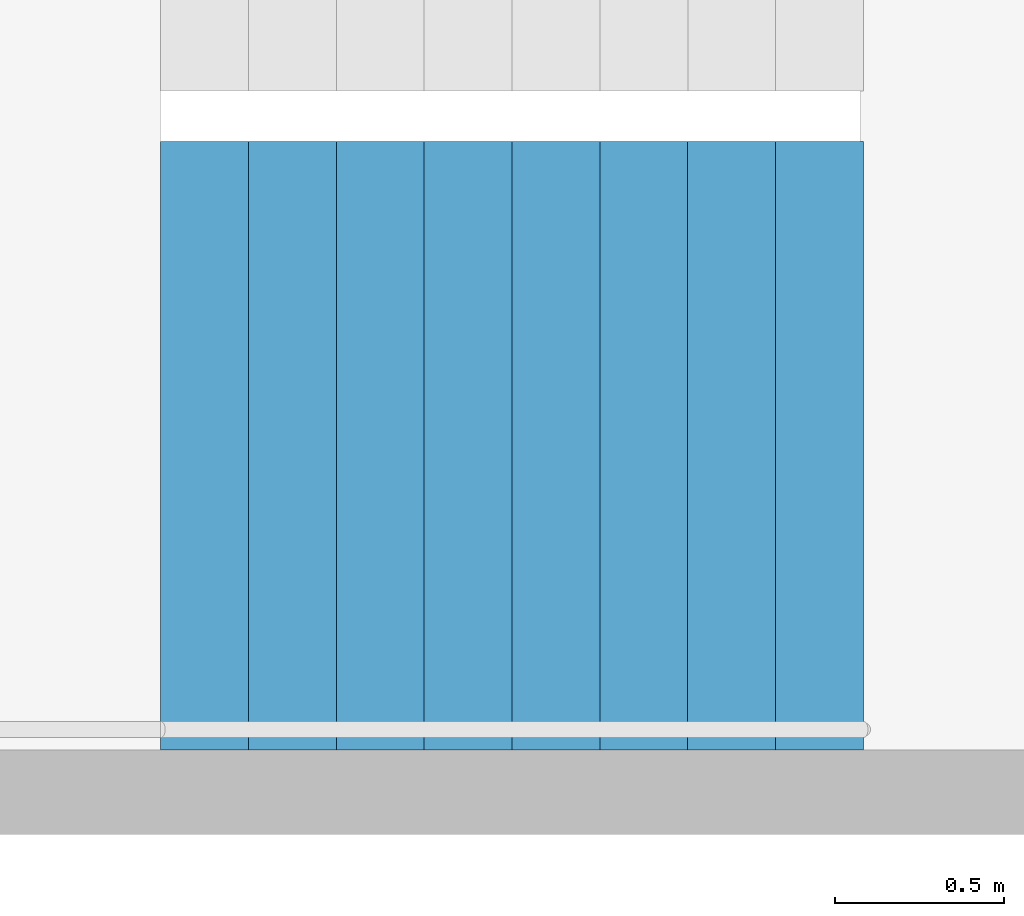
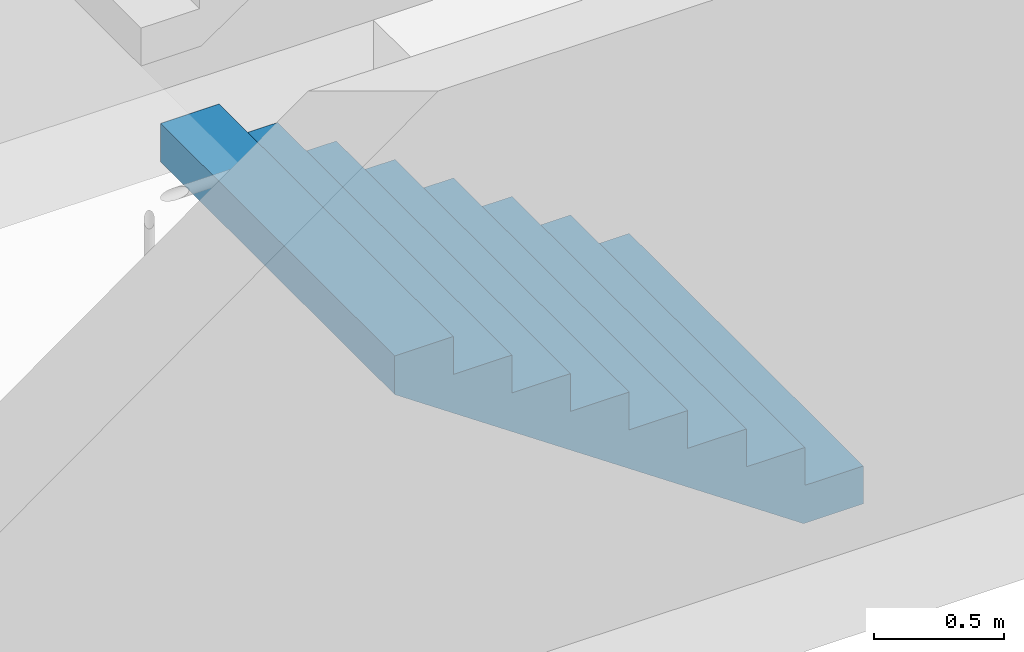
# One storey, part 27 of 29: 1 stair flight, 1 element without a shape of its own.
"""IFC4 building model written with IfcOpenShell, lengths in metres."""

from ifc_helpers import new_model, si_unit, direction, frame, origin, place, context, subcontext, project, spatial, triangles, material, type_object, element, aggregate, save


model = new_model("IFC4")

# Units and contexts
model_context = context("Model", 3, precision=1e-05, world=origin(), true_north=direction((0.0, 1.0)))
body_context = subcontext(model_context, "Body", "Model", "MODEL_VIEW")
ifc_project = project(units=[si_unit("LENGTHUNIT", "METRE"), si_unit("AREAUNIT", "SQUARE_METRE"), si_unit("VOLUMEUNIT", "CUBIC_METRE"), si_unit("PLANEANGLEUNIT", "RADIAN"), si_unit("MASSUNIT", "GRAM", prefix="KILO")], contexts=[model_context])

# Site, building, storey
site_placement = place(None, origin())
site = spatial("IfcSite", under=ifc_project, at=site_placement, CompositionType="ELEMENT")
building_placement = place(site_placement, origin())
building = spatial("IfcBuilding", under=site, at=building_placement, Name="Hakoniwa Tower and Hamabe Station Hall", CompositionType="ELEMENT")
storey_placement = place(building_placement, frame((0.0, 0.0, 78.60009765625)))
storey = spatial("IfcBuildingStorey", under=building, at=storey_placement, Name="L21", CompositionType="ELEMENT", Elevation=78.60009765625)

# Stair, stair flight
ifc_material_1 = material(Name="Concrete C40", Category="concrete")
stair_type = type_object("IfcStairType", Name="ESCAPE STAIR 1800", PredefinedType="HALF_TURN_STAIR", material=ifc_material_1)
stair_placement = place(storey_placement, origin())
stair = element("IfcStair", 1, at=stair_placement, inside=storey, type_object=stair_type, Name="Escape stair ST-3 L21", PredefinedType="HALF_TURN_STAIR")
ifc_material_2 = material(Name="Concrete C40", Category="concrete")
stair_flight_type = type_object("IfcStairFlightType", Name="STAIR FLIGHT 1800", PredefinedType="STRAIGHT", material=ifc_material_2)
stair_flight_placement = place(storey_placement, frame((24.39990234375, 4.64990234375, 0.0), z_axis=(0.0, 0.0, 1.0), x_axis=(-1.0, 0.0, 0.0)))
stair_flight = element("IfcStairFlight", 2, at=stair_flight_placement, type_object=stair_flight_type, Name="ST-3 flight 1", NumberOfRisers=9, NumberOfTreads=8, PredefinedType="STRAIGHT", RiserHeight=0.177777778, TreadLength=0.26, context=body_context, shape_type="Tessellation", body=[
    triangles([(0.0, 0.89990234375, 0.0), (0.260009765625, 0.89990234375, 0.0), (0.265625, 0.89990234375, 0.0), (0.52001953125, 0.89990234375, 0.174072265625), (0.780029296875, 0.89990234375, 0.351806640625), (1.0400390625, 0.89990234375, 0.529541015625), (1.300048828125, 0.89990234375, 0.707275390625), (1.56005859375, 0.89990234375, 0.885009765625), (1.820068359375, 0.89990234375, 1.062744140625), (2.080078125, 0.89990234375, 1.24072265625), (2.080078125, 0.89990234375, 1.422119140625), (1.820068359375, 0.89990234375, 1.422119140625), (1.820068359375, 0.89990234375, 1.244384765625), (1.56005859375, 0.89990234375, 1.244384765625), (1.56005859375, 0.89990234375, 1.066650390625), (1.300048828125, 0.89990234375, 1.066650390625), (1.300048828125, 0.89990234375, 0.888916015625), (1.0400390625, 0.89990234375, 0.888916015625), (1.0400390625, 0.89990234375, 0.711181640625), (0.780029296875, 0.89990234375, 0.711181640625), (0.780029296875, 0.89990234375, 0.533447265625), (0.52001953125, 0.89990234375, 0.533447265625), (0.52001953125, 0.89990234375, 0.35546875), (0.265625, 0.89990234375, 0.35546875), (0.260009765625, 0.89990234375, 0.35546875), (0.260009765625, 0.89990234375, 0.177734375), (0.0, 0.89990234375, 0.177734375), (0.0, 0.06005859375, 0.0), (0.260009765625, 0.06005859375, 0.0), (0.265625, 0.06005859375, 0.0), (0.52001953125, 0.06005859375, 0.174072265625), (0.780029296875, 0.06005859375, 0.351806640625), (1.0400390625, 0.06005859375, 0.529541015625), (1.300048828125, 0.06005859375, 0.707275390625), (1.56005859375, 0.06005859375, 0.885009765625), (1.820068359375, 0.06005859375, 1.062744140625), (2.080078125, 0.06005859375, 1.24072265625), (2.080078125, 0.06005859375, 1.422119140625), (1.820068359375, 0.06005859375, 1.422119140625), (1.820068359375, 0.06005859375, 1.244384765625), (1.56005859375, 0.06005859375, 1.244384765625), (1.56005859375, 0.06005859375, 1.066650390625), (1.300048828125, 0.06005859375, 1.066650390625), (1.300048828125, 0.06005859375, 0.888916015625), (1.0400390625, 0.06005859375, 0.888916015625), (1.0400390625, 0.06005859375, 0.711181640625), (0.780029296875, 0.06005859375, 0.711181640625), (0.780029296875, 0.06005859375, 0.533447265625), (0.52001953125, 0.06005859375, 0.533447265625), (0.52001953125, 0.06005859375, 0.35546875), (0.265625, 0.06005859375, 0.35546875), (0.260009765625, 0.06005859375, 0.35546875), (0.260009765625, 0.06005859375, 0.177734375), (0.0, 0.06005859375, 0.177734375), (0.0, 0.04296875, 0.0), (0.260009765625, 0.04296875, 0.0), (0.265625, 0.04296875, 0.0), (0.52001953125, 0.04296875, 0.174072265625), (0.780029296875, 0.04296875, 0.351806640625), (1.0400390625, 0.04296875, 0.529541015625), (1.300048828125, 0.04296875, 0.707275390625), (1.56005859375, 0.04296875, 0.885009765625), (1.820068359375, 0.04296875, 1.062744140625), (2.080078125, 0.04296875, 1.24072265625), (2.080078125, 0.04296875, 1.422119140625), (1.820068359375, 0.04296875, 1.422119140625), (1.820068359375, 0.04296875, 1.244384765625), (1.56005859375, 0.04296875, 1.244384765625), (1.56005859375, 0.04296875, 1.066650390625), (1.300048828125, 0.04296875, 1.066650390625), (1.300048828125, 0.04296875, 0.888916015625), (1.0400390625, 0.04296875, 0.888916015625), (1.0400390625, 0.04296875, 0.711181640625), (0.780029296875, 0.04296875, 0.711181640625), (0.780029296875, 0.04296875, 0.533447265625), (0.52001953125, 0.04296875, 0.533447265625), (0.52001953125, 0.04296875, 0.35546875), (0.265625, 0.04296875, 0.35546875), (0.260009765625, 0.04296875, 0.35546875), (0.260009765625, 0.04296875, 0.177734375), (0.0, 0.04296875, 0.177734375), (0.0, 0.025634765625, 0.0), (0.260009765625, 0.025634765625, 0.0), (0.265625, 0.025634765625, 0.0), (0.52001953125, 0.025634765625, 0.174072265625), (0.780029296875, 0.025634765625, 0.351806640625), (1.0400390625, 0.025634765625, 0.529541015625), (1.300048828125, 0.025634765625, 0.707275390625), (1.56005859375, 0.025634765625, 0.885009765625), (1.820068359375, 0.025634765625, 1.062744140625), (2.080078125, 0.025634765625, 1.24072265625), (2.080078125, 0.025634765625, 1.422119140625), (1.820068359375, 0.025634765625, 1.422119140625), (1.820068359375, 0.025634765625, 1.244384765625), (1.56005859375, 0.025634765625, 1.244384765625), (1.56005859375, 0.025634765625, 1.066650390625), (1.300048828125, 0.025634765625, 1.066650390625), (1.300048828125, 0.025634765625, 0.888916015625), (1.0400390625, 0.025634765625, 0.888916015625), (1.0400390625, 0.025634765625, 0.711181640625), (0.780029296875, 0.025634765625, 0.711181640625), (0.780029296875, 0.025634765625, 0.533447265625), (0.52001953125, 0.025634765625, 0.533447265625), (0.52001953125, 0.025634765625, 0.35546875), (0.265625, 0.025634765625, 0.35546875), (0.260009765625, 0.025634765625, 0.35546875), (0.260009765625, 0.025634765625, 0.177734375), (0.0, 0.025634765625, 0.177734375), (0.0, 0.008544921875, 0.0), (0.260009765625, 0.008544921875, 0.0), (0.265625, 0.008544921875, 0.0), (0.52001953125, 0.008544921875, 0.174072265625), (0.780029296875, 0.008544921875, 0.351806640625), (1.0400390625, 0.008544921875, 0.529541015625), (1.300048828125, 0.008544921875, 0.707275390625), (1.56005859375, 0.008544921875, 0.885009765625), (1.820068359375, 0.008544921875, 1.062744140625), (2.080078125, 0.008544921875, 1.24072265625), (2.080078125, 0.008544921875, 1.422119140625), (1.820068359375, 0.008544921875, 1.422119140625), (1.820068359375, 0.008544921875, 1.244384765625), (1.56005859375, 0.008544921875, 1.244384765625), (1.56005859375, 0.008544921875, 1.066650390625), (1.300048828125, 0.008544921875, 1.066650390625), (1.300048828125, 0.008544921875, 0.888916015625), (1.0400390625, 0.008544921875, 0.888916015625), (1.0400390625, 0.008544921875, 0.711181640625), (0.780029296875, 0.008544921875, 0.711181640625), (0.780029296875, 0.008544921875, 0.533447265625), (0.52001953125, 0.008544921875, 0.533447265625), (0.52001953125, 0.008544921875, 0.35546875), (0.265625, 0.008544921875, 0.35546875), (0.260009765625, 0.008544921875, 0.35546875), (0.260009765625, 0.008544921875, 0.177734375), (0.0, 0.008544921875, 0.177734375), (0.0, -0.008544921875, 0.0), (0.260009765625, -0.008544921875, 0.0), (0.265625, -0.008544921875, 0.0), (0.52001953125, -0.008544921875, 0.174072265625), (0.780029296875, -0.008544921875, 0.351806640625), (1.0400390625, -0.008544921875, 0.529541015625), (1.300048828125, -0.008544921875, 0.707275390625), (1.56005859375, -0.008544921875, 0.885009765625), (1.820068359375, -0.008544921875, 1.062744140625), (2.080078125, -0.008544921875, 1.24072265625), (2.080078125, -0.008544921875, 1.422119140625), (1.820068359375, -0.008544921875, 1.422119140625), (1.820068359375, -0.008544921875, 1.244384765625), (1.56005859375, -0.008544921875, 1.244384765625), (1.56005859375, -0.008544921875, 1.066650390625), (1.300048828125, -0.008544921875, 1.066650390625), (1.300048828125, -0.008544921875, 0.888916015625), (1.0400390625, -0.008544921875, 0.888916015625), (1.0400390625, -0.008544921875, 0.711181640625), (0.780029296875, -0.008544921875, 0.711181640625), (0.780029296875, -0.008544921875, 0.533447265625), (0.52001953125, -0.008544921875, 0.533447265625), (0.52001953125, -0.008544921875, 0.35546875), (0.265625, -0.008544921875, 0.35546875), (0.260009765625, -0.008544921875, 0.35546875), (0.260009765625, -0.008544921875, 0.177734375), (0.0, -0.008544921875, 0.177734375), (0.0, -0.025634765625, 0.0), (0.260009765625, -0.025634765625, 0.0), (0.265625, -0.025634765625, 0.0), (0.52001953125, -0.025634765625, 0.174072265625), (0.780029296875, -0.025634765625, 0.351806640625), (1.0400390625, -0.025634765625, 0.529541015625), (1.300048828125, -0.025634765625, 0.707275390625), (1.56005859375, -0.025634765625, 0.885009765625), (1.820068359375, -0.025634765625, 1.062744140625), (2.080078125, -0.025634765625, 1.24072265625), (2.080078125, -0.025634765625, 1.422119140625), (1.820068359375, -0.025634765625, 1.422119140625), (1.820068359375, -0.025634765625, 1.244384765625), (1.56005859375, -0.025634765625, 1.244384765625), (1.56005859375, -0.025634765625, 1.066650390625), (1.300048828125, -0.025634765625, 1.066650390625), (1.300048828125, -0.025634765625, 0.888916015625), (1.0400390625, -0.025634765625, 0.888916015625), (1.0400390625, -0.025634765625, 0.711181640625), (0.780029296875, -0.025634765625, 0.711181640625), (0.780029296875, -0.025634765625, 0.533447265625), (0.52001953125, -0.025634765625, 0.533447265625), (0.52001953125, -0.025634765625, 0.35546875), (0.265625, -0.025634765625, 0.35546875), (0.260009765625, -0.025634765625, 0.35546875), (0.260009765625, -0.025634765625, 0.177734375), (0.0, -0.025634765625, 0.177734375), (0.0, -0.04296875, 0.0), (0.260009765625, -0.04296875, 0.0), (0.265625, -0.04296875, 0.0), (0.52001953125, -0.04296875, 0.174072265625), (0.780029296875, -0.04296875, 0.351806640625), (1.0400390625, -0.04296875, 0.529541015625), (1.300048828125, -0.04296875, 0.707275390625), (1.56005859375, -0.04296875, 0.885009765625), (1.820068359375, -0.04296875, 1.062744140625), (2.080078125, -0.04296875, 1.24072265625), (2.080078125, -0.04296875, 1.422119140625), (1.820068359375, -0.04296875, 1.422119140625), (1.820068359375, -0.04296875, 1.244384765625), (1.56005859375, -0.04296875, 1.244384765625), (1.56005859375, -0.04296875, 1.066650390625), (1.300048828125, -0.04296875, 1.066650390625), (1.300048828125, -0.04296875, 0.888916015625), (1.0400390625, -0.04296875, 0.888916015625), (1.0400390625, -0.04296875, 0.711181640625), (0.780029296875, -0.04296875, 0.711181640625), (0.780029296875, -0.04296875, 0.533447265625), (0.52001953125, -0.04296875, 0.533447265625), (0.52001953125, -0.04296875, 0.35546875), (0.265625, -0.04296875, 0.35546875), (0.260009765625, -0.04296875, 0.35546875), (0.260009765625, -0.04296875, 0.177734375), (0.0, -0.04296875, 0.177734375), (0.0, -0.06005859375, 0.0), (0.260009765625, -0.06005859375, 0.0), (0.265625, -0.06005859375, 0.0), (0.52001953125, -0.06005859375, 0.174072265625), (0.780029296875, -0.06005859375, 0.351806640625), (1.0400390625, -0.06005859375, 0.529541015625), (1.300048828125, -0.06005859375, 0.707275390625), (1.56005859375, -0.06005859375, 0.885009765625), (1.820068359375, -0.06005859375, 1.062744140625), (2.080078125, -0.06005859375, 1.24072265625), (2.080078125, -0.06005859375, 1.422119140625), (1.820068359375, -0.06005859375, 1.422119140625), (1.820068359375, -0.06005859375, 1.244384765625), (1.56005859375, -0.06005859375, 1.244384765625), (1.56005859375, -0.06005859375, 1.066650390625), (1.300048828125, -0.06005859375, 1.066650390625), (1.300048828125, -0.06005859375, 0.888916015625), (1.0400390625, -0.06005859375, 0.888916015625), (1.0400390625, -0.06005859375, 0.711181640625), (0.780029296875, -0.06005859375, 0.711181640625), (0.780029296875, -0.06005859375, 0.533447265625), (0.52001953125, -0.06005859375, 0.533447265625), (0.52001953125, -0.06005859375, 0.35546875), (0.265625, -0.06005859375, 0.35546875), (0.260009765625, -0.06005859375, 0.35546875), (0.260009765625, -0.06005859375, 0.177734375), (0.0, -0.06005859375, 0.177734375), (0.0, -0.89990234375, 0.0), (0.260009765625, -0.89990234375, 0.0), (0.265625, -0.89990234375, 0.0), (0.52001953125, -0.89990234375, 0.174072265625), (0.780029296875, -0.89990234375, 0.351806640625), (1.0400390625, -0.89990234375, 0.529541015625), (1.300048828125, -0.89990234375, 0.707275390625), (1.56005859375, -0.89990234375, 0.885009765625), (1.820068359375, -0.89990234375, 1.062744140625), (2.080078125, -0.89990234375, 1.24072265625), (2.080078125, -0.89990234375, 1.422119140625), (1.820068359375, -0.89990234375, 1.422119140625), (1.820068359375, -0.89990234375, 1.244384765625), (1.56005859375, -0.89990234375, 1.244384765625), (1.56005859375, -0.89990234375, 1.066650390625), (1.300048828125, -0.89990234375, 1.066650390625), (1.300048828125, -0.89990234375, 0.888916015625), (1.0400390625, -0.89990234375, 0.888916015625), (1.0400390625, -0.89990234375, 0.711181640625), (0.780029296875, -0.89990234375, 0.711181640625), (0.780029296875, -0.89990234375, 0.533447265625), (0.52001953125, -0.89990234375, 0.533447265625), (0.52001953125, -0.89990234375, 0.35546875), (0.265625, -0.89990234375, 0.35546875), (0.260009765625, -0.89990234375, 0.35546875), (0.260009765625, -0.89990234375, 0.177734375), (0.0, -0.89990234375, 0.177734375)], [[2, 27, 26], [245, 269, 270], [2, 1, 27], [245, 270, 244], [3, 25, 24], [246, 267, 268], [3, 26, 25], [246, 268, 269], [3, 2, 26], [246, 269, 245], [4, 24, 23], [247, 266, 267], [4, 3, 24], [247, 267, 246], [5, 22, 21], [248, 264, 265], [5, 23, 22], [248, 265, 266], [5, 4, 23], [248, 266, 247], [6, 20, 19], [249, 262, 263], [6, 21, 20], [249, 263, 264], [6, 5, 21], [249, 264, 248], [7, 18, 17], [250, 260, 261], [7, 19, 18], [250, 261, 262], [7, 6, 19], [250, 262, 249], [8, 16, 15], [251, 258, 259], [8, 17, 16], [251, 259, 260], [8, 7, 17], [251, 260, 250], [9, 14, 13], [252, 256, 257], [9, 15, 14], [252, 257, 258], [9, 8, 15], [252, 258, 251], [10, 12, 11], [253, 254, 255], [10, 13, 12], [253, 255, 256], [10, 9, 13], [253, 256, 252], [1, 2, 29], [1, 29, 28], [28, 29, 56], [28, 56, 55], [55, 56, 83], [55, 83, 82], [82, 83, 110], [82, 110, 109], [109, 110, 137], [109, 137, 136], [136, 137, 164], [136, 164, 163], [163, 164, 191], [163, 191, 190], [190, 191, 218], [190, 218, 217], [217, 218, 245], [217, 245, 244], [2, 3, 30], [2, 30, 29], [29, 30, 57], [29, 57, 56], [56, 57, 84], [56, 84, 83], [83, 84, 111], [83, 111, 110], [110, 111, 138], [110, 138, 137], [137, 138, 165], [137, 165, 164], [164, 165, 192], [164, 192, 191], [191, 192, 219], [191, 219, 218], [218, 219, 246], [218, 246, 245], [3, 4, 31], [3, 31, 30], [30, 31, 58], [30, 58, 57], [57, 58, 85], [57, 85, 84], [84, 85, 112], [84, 112, 111], [111, 112, 139], [111, 139, 138], [138, 139, 166], [138, 166, 165], [165, 166, 193], [165, 193, 192], [192, 193, 220], [192, 220, 219], [219, 220, 247], [219, 247, 246], [4, 5, 32], [4, 32, 31], [31, 32, 59], [31, 59, 58], [58, 59, 86], [58, 86, 85], [85, 86, 113], [85, 113, 112], [112, 113, 140], [112, 140, 139], [139, 140, 167], [139, 167, 166], [166, 167, 194], [166, 194, 193], [193, 194, 221], [193, 221, 220], [220, 221, 248], [220, 248, 247], [5, 6, 33], [5, 33, 32], [32, 33, 60], [32, 60, 59], [59, 60, 87], [59, 87, 86], [86, 87, 114], [86, 114, 113], [113, 114, 141], [113, 141, 140], [140, 141, 168], [140, 168, 167], [167, 168, 195], [167, 195, 194], [194, 195, 222], [194, 222, 221], [221, 222, 249], [221, 249, 248], [6, 7, 34], [6, 34, 33], [33, 34, 61], [33, 61, 60], [60, 61, 88], [60, 88, 87], [87, 88, 115], [87, 115, 114], [114, 115, 142], [114, 142, 141], [141, 142, 169], [141, 169, 168], [168, 169, 196], [168, 196, 195], [195, 196, 223], [195, 223, 222], [222, 223, 250], [222, 250, 249], [7, 8, 35], [7, 35, 34], [34, 35, 62], [34, 62, 61], [61, 62, 89], [61, 89, 88], [88, 89, 116], [88, 116, 115], [115, 116, 143], [115, 143, 142], [142, 143, 170], [142, 170, 169], [169, 170, 197], [169, 197, 196], [196, 197, 224], [196, 224, 223], [223, 224, 251], [223, 251, 250], [8, 9, 36], [8, 36, 35], [35, 36, 63], [35, 63, 62], [62, 63, 90], [62, 90, 89], [89, 90, 117], [89, 117, 116], [116, 117, 144], [116, 144, 143], [143, 144, 171], [143, 171, 170], [170, 171, 198], [170, 198, 197], [197, 198, 225], [197, 225, 224], [224, 225, 252], [224, 252, 251], [9, 10, 37], [9, 37, 36], [36, 37, 64], [36, 64, 63], [63, 64, 91], [63, 91, 90], [90, 91, 118], [90, 118, 117], [117, 118, 145], [117, 145, 144], [144, 145, 172], [144, 172, 171], [171, 172, 199], [171, 199, 198], [198, 199, 226], [198, 226, 225], [225, 226, 253], [225, 253, 252], [10, 11, 38], [10, 38, 37], [37, 38, 65], [37, 65, 64], [64, 65, 92], [64, 92, 91], [91, 92, 119], [91, 119, 118], [118, 119, 146], [118, 146, 145], [145, 146, 173], [145, 173, 172], [172, 173, 200], [172, 200, 199], [199, 200, 227], [199, 227, 226], [226, 227, 254], [226, 254, 253], [11, 12, 39], [11, 39, 38], [38, 39, 66], [38, 66, 65], [65, 66, 93], [65, 93, 92], [92, 93, 120], [92, 120, 119], [119, 120, 147], [119, 147, 146], [146, 147, 174], [146, 174, 173], [173, 174, 201], [173, 201, 200], [200, 201, 228], [200, 228, 227], [227, 228, 255], [227, 255, 254], [12, 13, 40], [12, 40, 39], [39, 40, 67], [39, 67, 66], [66, 67, 94], [66, 94, 93], [93, 94, 121], [93, 121, 120], [120, 121, 148], [120, 148, 147], [147, 148, 175], [147, 175, 174], [174, 175, 202], [174, 202, 201], [201, 202, 229], [201, 229, 228], [228, 229, 256], [228, 256, 255], [13, 14, 41], [13, 41, 40], [40, 41, 68], [40, 68, 67], [67, 68, 95], [67, 95, 94], [94, 95, 122], [94, 122, 121], [121, 122, 149], [121, 149, 148], [148, 149, 176], [148, 176, 175], [175, 176, 203], [175, 203, 202], [202, 203, 230], [202, 230, 229], [229, 230, 257], [229, 257, 256], [14, 15, 42], [14, 42, 41], [41, 42, 69], [41, 69, 68], [68, 69, 96], [68, 96, 95], [95, 96, 123], [95, 123, 122], [122, 123, 150], [122, 150, 149], [149, 150, 177], [149, 177, 176], [176, 177, 204], [176, 204, 203], [203, 204, 231], [203, 231, 230], [230, 231, 258], [230, 258, 257], [15, 16, 43], [15, 43, 42], [42, 43, 70], [42, 70, 69], [69, 70, 97], [69, 97, 96], [96, 97, 124], [96, 124, 123], [123, 124, 151], [123, 151, 150], [150, 151, 178], [150, 178, 177], [177, 178, 205], [177, 205, 204], [204, 205, 232], [204, 232, 231], [231, 232, 259], [231, 259, 258], [16, 17, 44], [16, 44, 43], [43, 44, 71], [43, 71, 70], [70, 71, 98], [70, 98, 97], [97, 98, 125], [97, 125, 124], [124, 125, 152], [124, 152, 151], [151, 152, 179], [151, 179, 178], [178, 179, 206], [178, 206, 205], [205, 206, 233], [205, 233, 232], [232, 233, 260], [232, 260, 259], [17, 18, 45], [17, 45, 44], [44, 45, 72], [44, 72, 71], [71, 72, 99], [71, 99, 98], [98, 99, 126], [98, 126, 125], [125, 126, 153], [125, 153, 152], [152, 153, 180], [152, 180, 179], [179, 180, 207], [179, 207, 206], [206, 207, 234], [206, 234, 233], [233, 234, 261], [233, 261, 260], [18, 19, 46], [18, 46, 45], [45, 46, 73], [45, 73, 72], [72, 73, 100], [72, 100, 99], [99, 100, 127], [99, 127, 126], [126, 127, 154], [126, 154, 153], [153, 154, 181], [153, 181, 180], [180, 181, 208], [180, 208, 207], [207, 208, 235], [207, 235, 234], [234, 235, 262], [234, 262, 261], [19, 20, 47], [19, 47, 46], [46, 47, 74], [46, 74, 73], [73, 74, 101], [73, 101, 100], [100, 101, 128], [100, 128, 127], [127, 128, 155], [127, 155, 154], [154, 155, 182], [154, 182, 181], [181, 182, 209], [181, 209, 208], [208, 209, 236], [208, 236, 235], [235, 236, 263], [235, 263, 262], [20, 21, 48], [20, 48, 47], [47, 48, 75], [47, 75, 74], [74, 75, 102], [74, 102, 101], [101, 102, 129], [101, 129, 128], [128, 129, 156], [128, 156, 155], [155, 156, 183], [155, 183, 182], [182, 183, 210], [182, 210, 209], [209, 210, 237], [209, 237, 236], [236, 237, 264], [236, 264, 263], [21, 22, 49], [21, 49, 48], [48, 49, 76], [48, 76, 75], [75, 76, 103], [75, 103, 102], [102, 103, 130], [102, 130, 129], [129, 130, 157], [129, 157, 156], [156, 157, 184], [156, 184, 183], [183, 184, 211], [183, 211, 210], [210, 211, 238], [210, 238, 237], [237, 238, 265], [237, 265, 264], [22, 23, 50], [22, 50, 49], [49, 50, 77], [49, 77, 76], [76, 77, 104], [76, 104, 103], [103, 104, 131], [103, 131, 130], [130, 131, 158], [130, 158, 157], [157, 158, 185], [157, 185, 184], [184, 185, 212], [184, 212, 211], [211, 212, 239], [211, 239, 238], [238, 239, 266], [238, 266, 265], [23, 24, 51], [23, 51, 50], [50, 51, 78], [50, 78, 77], [77, 78, 105], [77, 105, 104], [104, 105, 132], [104, 132, 131], [131, 132, 159], [131, 159, 158], [158, 159, 186], [158, 186, 185], [185, 186, 213], [185, 213, 212], [212, 213, 240], [212, 240, 239], [239, 240, 267], [239, 267, 266], [24, 25, 52], [24, 52, 51], [51, 52, 79], [51, 79, 78], [78, 79, 106], [78, 106, 105], [105, 106, 133], [105, 133, 132], [132, 133, 160], [132, 160, 159], [159, 160, 187], [159, 187, 186], [186, 187, 214], [186, 214, 213], [213, 214, 241], [213, 241, 240], [240, 241, 268], [240, 268, 267], [25, 26, 53], [25, 53, 52], [52, 53, 80], [52, 80, 79], [79, 80, 107], [79, 107, 106], [106, 107, 134], [106, 134, 133], [133, 134, 161], [133, 161, 160], [160, 161, 188], [160, 188, 187], [187, 188, 215], [187, 215, 214], [214, 215, 242], [214, 242, 241], [241, 242, 269], [241, 269, 268], [26, 27, 54], [26, 54, 53], [53, 54, 81], [53, 81, 80], [80, 81, 108], [80, 108, 107], [107, 108, 135], [107, 135, 134], [134, 135, 162], [134, 162, 161], [161, 162, 189], [161, 189, 188], [188, 189, 216], [188, 216, 215], [215, 216, 243], [215, 243, 242], [242, 243, 270], [242, 270, 269], [27, 1, 28], [27, 28, 54], [54, 28, 55], [54, 55, 81], [81, 55, 82], [81, 82, 108], [108, 82, 109], [108, 109, 135], [135, 109, 136], [135, 136, 162], [162, 136, 163], [162, 163, 189], [189, 163, 190], [189, 190, 216], [216, 190, 217], [216, 217, 243], [243, 217, 244], [243, 244, 270]], closed=True),
])
aggregate(stair, [stair_flight])

save(model, "model.ifc")
